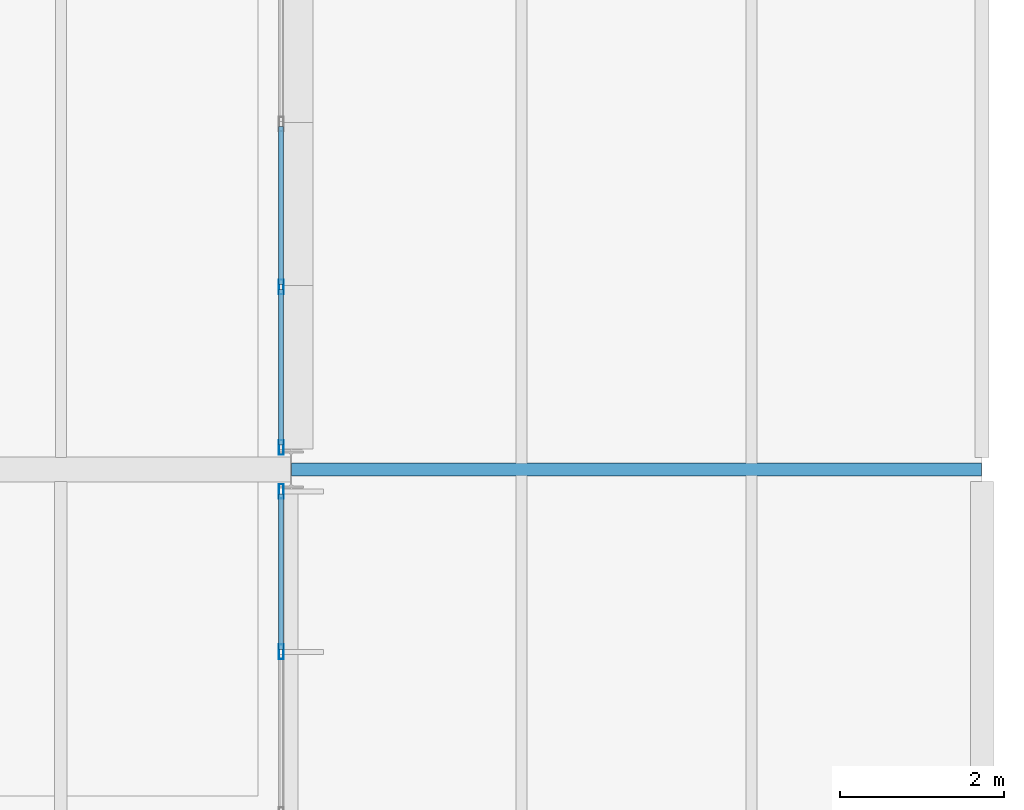
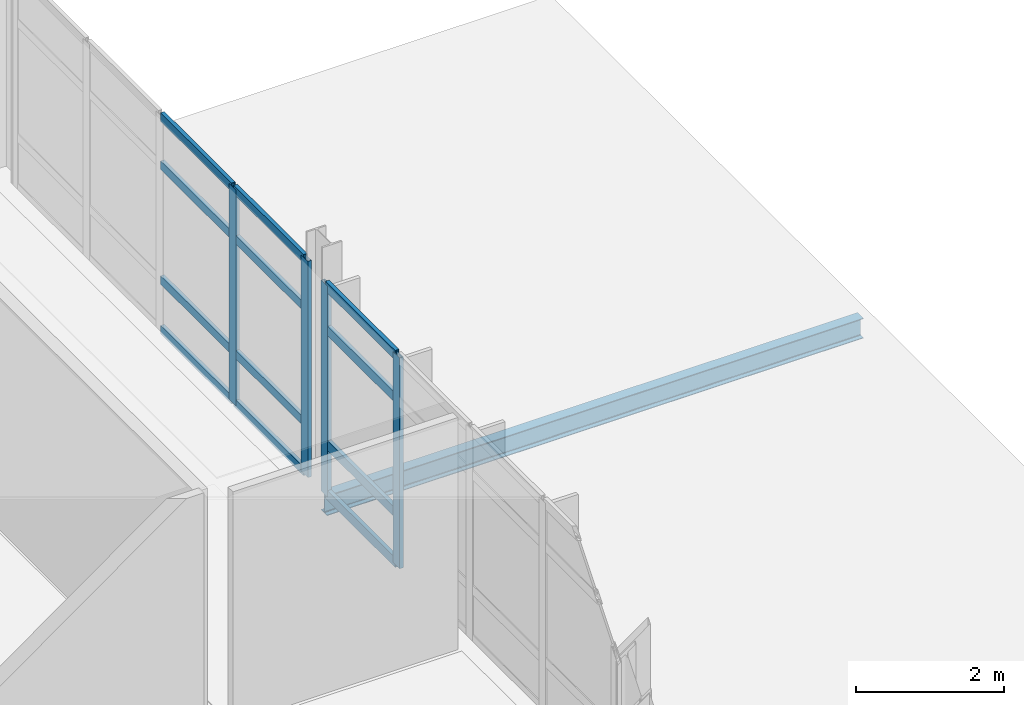
# One storey, part 97 of 151: 16 members, 1 beam, 2 elements without a shape of their own.
"""IFC4 building model written with IfcOpenShell, lengths in metres."""

from ifc_helpers import new_model, si_unit, direction, frame, origin, origin_2d, place, context, subcontext, project, spatial, hollow_rectangle, i_section, extrude, material, material_profile, profile_set, type_object, element, aggregate, save


model = new_model("IFC4")

# Units and contexts
model_context = context("Model", 3, precision=1e-05, world=origin(), true_north=direction((0.0, 1.0)))
body_context = subcontext(model_context, "Body", "Model", "MODEL_VIEW")
ifc_project = project(units=[si_unit("LENGTHUNIT", "METRE"), si_unit("AREAUNIT", "SQUARE_METRE"), si_unit("VOLUMEUNIT", "CUBIC_METRE"), si_unit("PLANEANGLEUNIT", "RADIAN"), si_unit("MASSUNIT", "GRAM", prefix="KILO")], contexts=[model_context])

# Site, building, storey
site_placement = place(None, origin())
site = spatial("IfcSite", under=ifc_project, at=site_placement, CompositionType="ELEMENT")
building_placement = place(site_placement, origin())
building = spatial("IfcBuilding", under=site, at=building_placement, Name="Mersafa Astral City Hall", CompositionType="ELEMENT")
storey_placement = place(building_placement, frame((0.0, 0.0, 9.89990234375)))
storey = spatial("IfcBuildingStorey", under=building, at=storey_placement, Name="L02", CompositionType="ELEMENT", Elevation=9.89990234375)

# Curtain wall, members
ifc_material_1 = material(Name="Anodised bronze aluminium framing", Category="aluminium")
curtain_wall_type_1 = type_object("IfcCurtainWallType", Name="ENV-CW-5", PredefinedType="USERDEFINED", material=ifc_material_1)
curtain_wall_1_placement = place(storey_placement, origin())
curtain_wall_1 = element("IfcCurtainWall", 1, at=curtain_wall_1_placement, inside=storey, type_object=curtain_wall_type_1, Name="L02 Unitised solar curtain wall 124", ObjectType="UNITISED CURTAIN WALL", PredefinedType="USERDEFINED")
ifc_material_profile_1 = material_profile(ifc_material_1, hollow_rectangle(XDim=0.06005859375, YDim=0.179931640625, WallThickness=0.00390625, at=origin_2d()), Name="RHS 60x180x4")
ifc_profile_set_1 = profile_set([ifc_material_profile_1], Name="Anodised bronze aluminium framing")
member_type_1 = type_object("IfcMemberType", Name="ENV-CW-MUL-1", PredefinedType="MULLION", material=ifc_profile_set_1)
member_1_placement = place(storey_placement, frame((176.280029296875, 81.781494140625, -0.001953125), z_axis=(0.0, 0.0, 1.0), x_axis=(-1.0, 0.0, 0.0)))
member_1 = element("IfcMember", 2, at=member_1_placement, type_object=member_type_1, Name="CW-5 mullion 4", PredefinedType="MULLION", context=body_context, shape_type="SweptSolid", body=[
    extrude(hollow_rectangle(XDim=0.06005859375, YDim=0.179931640625, WallThickness=0.00390625, at=origin_2d()), origin(), (0.0, 0.0, 1.0), 3.489013671875),
])
member_2_placement = place(storey_placement, frame((176.280029296875, 83.73291015625, -0.001953125), z_axis=(0.0, 0.0, 1.0), x_axis=(-1.0, 0.0, 0.0)))
member_2 = element("IfcMember", 3, at=member_2_placement, type_object=member_type_1, Name="CW-5 mullion 5", PredefinedType="MULLION", context=body_context, shape_type="SweptSolid", body=[
    extrude(hollow_rectangle(XDim=0.06005859375, YDim=0.179931640625, WallThickness=0.00390625, at=origin_2d()), origin(), (0.0, 0.0, 1.0), 3.489013671875),
])

curtain_wall_type_2 = type_object("IfcCurtainWallType", Name="ENV-CW-6", PredefinedType="USERDEFINED", material=ifc_material_1)
curtain_wall_2_placement = place(storey_placement, origin())
curtain_wall_2 = element("IfcCurtainWall", 4, at=curtain_wall_2_placement, inside=storey, type_object=curtain_wall_type_2, Name="L02 Unitised solar curtain wall 125", ObjectType="UNITISED CURTAIN WALL", PredefinedType="USERDEFINED")
member_3_placement = place(storey_placement, frame((176.280029296875, 84.26708984375, -0.001953125), z_axis=(0.0, 0.0, 1.0), x_axis=(-1.0, 0.0, 0.0)))
member_3 = element("IfcMember", 5, at=member_3_placement, type_object=member_type_1, Name="CW-6 mullion 1", PredefinedType="MULLION", context=body_context, shape_type="SweptSolid", body=[
    extrude(hollow_rectangle(XDim=0.06005859375, YDim=0.179931640625, WallThickness=0.00390625, at=origin_2d()), origin(), (0.0, 0.0, 1.0), 3.5791015625),
])
member_4_placement = place(storey_placement, frame((176.280029296875, 86.218505859375, -0.001953125), z_axis=(0.0, 0.0, 1.0), x_axis=(-1.0, 0.0, 0.0)))
member_4 = element("IfcMember", 6, at=member_4_placement, type_object=member_type_1, Name="CW-6 mullion 2", PredefinedType="MULLION", context=body_context, shape_type="SweptSolid", body=[
    extrude(hollow_rectangle(XDim=0.06005859375, YDim=0.179931640625, WallThickness=0.00390625, at=origin_2d()), origin(), (0.0, 0.0, 1.0), 3.5791015625),
])
ifc_material_profile_2 = material_profile(ifc_material_1, hollow_rectangle(XDim=0.06005859375, YDim=0.139892578125, WallThickness=0.00390625, at=origin_2d()), Name="RHS 60x140x4")
ifc_profile_set_2 = profile_set([ifc_material_profile_2], Name="Anodised bronze aluminium framing")
member_type_2 = type_object("IfcMemberType", Name="ENV-CW-TRN-1", PredefinedType="USERDEFINED", material=ifc_profile_set_2)
member_5_placement = place(storey_placement, frame((176.280029296875, 84.297119140625, 0.028076171875), z_axis=(0.0, 1.0, 0.0), x_axis=(-1.0, 0.0, 0.0)))
member_5 = element("IfcMember", 7, at=member_5_placement, type_object=member_type_2, Name="CW-6 transom 1.1", ObjectType="TRANSOM", PredefinedType="USERDEFINED", context=body_context, shape_type="SweptSolid", body=[
    extrude(hollow_rectangle(XDim=0.06005859375, YDim=0.139892578125, WallThickness=0.00390625, at=origin_2d()), origin(), (0.0, 0.0, 1.0), 1.891357421875),
])
member_6_placement = place(storey_placement, frame((176.280029296875, 84.297119140625, 0.85009765625), z_axis=(0.0, 1.0, 0.0), x_axis=(-1.0, 0.0, 0.0)))
member_6 = element("IfcMember", 8, at=member_6_placement, type_object=member_type_2, Name="CW-6 transom 1.2", ObjectType="TRANSOM", PredefinedType="USERDEFINED", context=body_context, shape_type="SweptSolid", body=[
    extrude(hollow_rectangle(XDim=0.06005859375, YDim=0.139892578125, WallThickness=0.00390625, at=origin_2d()), origin(), (0.0, 0.0, 1.0), 1.891357421875),
])
member_7_placement = place(storey_placement, frame((176.280029296875, 84.297119140625, 2.75), z_axis=(0.0, 1.0, 0.0), x_axis=(-1.0, 0.0, 0.0)))
member_7 = element("IfcMember", 9, at=member_7_placement, type_object=member_type_2, Name="CW-6 transom 1.3", ObjectType="TRANSOM", PredefinedType="USERDEFINED", context=body_context, shape_type="SweptSolid", body=[
    extrude(hollow_rectangle(XDim=0.06005859375, YDim=0.139892578125, WallThickness=0.00390625, at=origin_2d()), origin(), (0.0, 0.0, 1.0), 1.891357421875),
])
member_8_placement = place(storey_placement, frame((176.280029296875, 84.297119140625, 3.547119140625), z_axis=(0.0, 1.0, 0.0), x_axis=(-1.0, 0.0, 0.0)))
member_8 = element("IfcMember", 10, at=member_8_placement, type_object=member_type_2, Name="CW-6 transom 1.4", ObjectType="TRANSOM", PredefinedType="USERDEFINED", context=body_context, shape_type="SweptSolid", body=[
    extrude(hollow_rectangle(XDim=0.06005859375, YDim=0.139892578125, WallThickness=0.00390625, at=origin_2d()), origin(), (0.0, 0.0, 1.0), 1.891357421875),
])
member_9_placement = place(storey_placement, frame((176.280029296875, 86.24853515625, 0.028076171875), z_axis=(0.0, 1.0, 0.0), x_axis=(-1.0, 0.0, 0.0)))
member_9 = element("IfcMember", 11, at=member_9_placement, type_object=member_type_2, Name="CW-6 transom 2.1", ObjectType="TRANSOM", PredefinedType="USERDEFINED", context=body_context, shape_type="SweptSolid", body=[
    extrude(hollow_rectangle(XDim=0.06005859375, YDim=0.139892578125, WallThickness=0.00390625, at=origin_2d()), origin(), (0.0, 0.0, 1.0), 1.92138671875),
])
member_10_placement = place(storey_placement, frame((176.280029296875, 86.24853515625, 0.85009765625), z_axis=(0.0, 1.0, 0.0), x_axis=(-1.0, 0.0, 0.0)))
member_10 = element("IfcMember", 12, at=member_10_placement, type_object=member_type_2, Name="CW-6 transom 2.2", ObjectType="TRANSOM", PredefinedType="USERDEFINED", context=body_context, shape_type="SweptSolid", body=[
    extrude(hollow_rectangle(XDim=0.06005859375, YDim=0.139892578125, WallThickness=0.00390625, at=origin_2d()), origin(), (0.0, 0.0, 1.0), 1.92138671875),
])
member_11_placement = place(storey_placement, frame((176.280029296875, 86.24853515625, 2.75), z_axis=(0.0, 1.0, 0.0), x_axis=(-1.0, 0.0, 0.0)))
member_11 = element("IfcMember", 13, at=member_11_placement, type_object=member_type_2, Name="CW-6 transom 2.3", ObjectType="TRANSOM", PredefinedType="USERDEFINED", context=body_context, shape_type="SweptSolid", body=[
    extrude(hollow_rectangle(XDim=0.06005859375, YDim=0.139892578125, WallThickness=0.00390625, at=origin_2d()), origin(), (0.0, 0.0, 1.0), 1.92138671875),
])
member_12_placement = place(storey_placement, frame((176.280029296875, 86.24853515625, 3.547119140625), z_axis=(0.0, 1.0, 0.0), x_axis=(-1.0, 0.0, 0.0)))
member_12 = element("IfcMember", 14, at=member_12_placement, type_object=member_type_2, Name="CW-6 transom 2.4", ObjectType="TRANSOM", PredefinedType="USERDEFINED", context=body_context, shape_type="SweptSolid", body=[
    extrude(hollow_rectangle(XDim=0.06005859375, YDim=0.139892578125, WallThickness=0.00390625, at=origin_2d()), origin(), (0.0, 0.0, 1.0), 1.92138671875),
])
aggregate(curtain_wall_2, [member_3, member_4, member_5, member_6, member_7, member_8, member_9, member_10, member_11, member_12])

# Member
ifc_material_profile_3 = material_profile(ifc_material_1, hollow_rectangle(XDim=0.06005859375, YDim=0.159912109375, WallThickness=0.00390625, at=origin_2d()), Name="RHS 60x160x4")
ifc_profile_set_3 = profile_set([ifc_material_profile_3], Name="Anodised bronze aluminium framing")
member_type_3 = type_object("IfcMemberType", Name="ENV-CW-TRN-2", PredefinedType="USERDEFINED", material=ifc_profile_set_3)
member_13_placement = place(storey_placement, frame((176.280029296875, 81.8115234375, 0.028076171875), z_axis=(0.0, 1.0, 0.0), x_axis=(-1.0, 0.0, 0.0)))
member_13 = element("IfcMember", 15, at=member_13_placement, type_object=member_type_3, Name="CW-5 transom 4.1", ObjectType="TRANSOM", PredefinedType="USERDEFINED", context=body_context, shape_type="SweptSolid", body=[
    extrude(hollow_rectangle(XDim=0.06005859375, YDim=0.159912109375, WallThickness=0.00390625, at=origin_2d()), origin(), (0.0, 0.0, 1.0), 1.891357421875),
])

member_14_placement = place(storey_placement, frame((176.280029296875, 81.8115234375, 0.85009765625), z_axis=(0.0, 1.0, 0.0), x_axis=(-1.0, 0.0, 0.0)))
member_14 = element("IfcMember", 16, at=member_14_placement, type_object=member_type_3, Name="CW-5 transom 4.2", ObjectType="TRANSOM", PredefinedType="USERDEFINED", context=body_context, shape_type="SweptSolid", body=[
    extrude(hollow_rectangle(XDim=0.06005859375, YDim=0.159912109375, WallThickness=0.00390625, at=origin_2d()), origin(), (0.0, 0.0, 1.0), 1.891357421875),
])

member_15_placement = place(storey_placement, frame((176.280029296875, 81.8115234375, 2.75), z_axis=(0.0, 1.0, 0.0), x_axis=(-1.0, 0.0, 0.0)))
member_15 = element("IfcMember", 17, at=member_15_placement, type_object=member_type_3, Name="CW-5 transom 4.3", ObjectType="TRANSOM", PredefinedType="USERDEFINED", context=body_context, shape_type="SweptSolid", body=[
    extrude(hollow_rectangle(XDim=0.06005859375, YDim=0.159912109375, WallThickness=0.00390625, at=origin_2d()), origin(), (0.0, 0.0, 1.0), 1.891357421875),
])

member_16_placement = place(storey_placement, frame((176.280029296875, 81.8115234375, 3.45703125), z_axis=(0.0, 1.0, 0.0), x_axis=(-1.0, 0.0, 0.0)))
member_16 = element("IfcMember", 18, at=member_16_placement, type_object=member_type_3, Name="CW-5 transom 4.4", ObjectType="TRANSOM", PredefinedType="USERDEFINED", context=body_context, shape_type="SweptSolid", body=[
    extrude(hollow_rectangle(XDim=0.06005859375, YDim=0.159912109375, WallThickness=0.00390625, at=origin_2d()), origin(), (0.0, 0.0, 1.0), 1.891357421875),
])

aggregate(curtain_wall_1, [member_1, member_2, member_13, member_14, member_15, member_16])

# Beam
ifc_material_2 = material(Name="Steel S355", Category="steel")
ifc_material_profile_4 = material_profile(ifc_material_2, i_section(OverallWidth=0.159912109375, OverallDepth=0.330078125, WebThickness=0.007568359375, FlangeThickness=0.011474609375, FilletRadius=0.01806640625, at=origin_2d()), Name="IPE 330")
ifc_profile_set_4 = profile_set([ifc_material_profile_4], Name="Steel S355")
beam_type = type_object("IfcBeamType", Name="STR-BM-SPANDREL-IPE330", PredefinedType="SPANDREL", material=ifc_profile_set_4)
beam_placement = place(storey_placement, frame((176.403076171875, 84.0, -0.364990234375), z_axis=(1.0, 0.0, 0.0), x_axis=(0.0, 1.0, 0.0)))
element("IfcBeam", 19, at=beam_placement, inside=storey, type_object=beam_type, Name="L02 Primary girder X 21-10", PredefinedType="SPANDREL", context=body_context, shape_type="SweptSolid", body=[
    extrude(i_section(OverallWidth=0.159912109375, OverallDepth=0.330078125, WebThickness=0.007568359375, FlangeThickness=0.011474609375, FilletRadius=0.01806640625, at=origin_2d()), origin(), (0.0, 0.0, 1.0), 8.39404296875),
])

save(model, "model.ifc")
